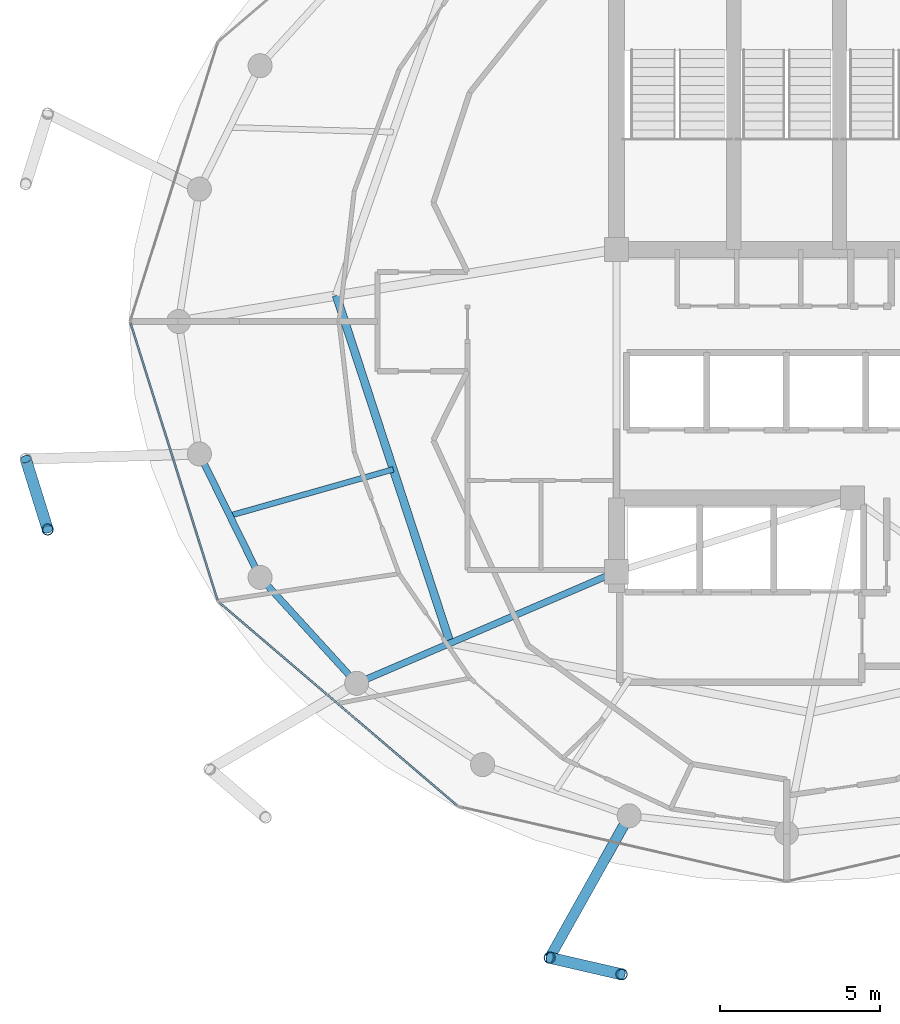
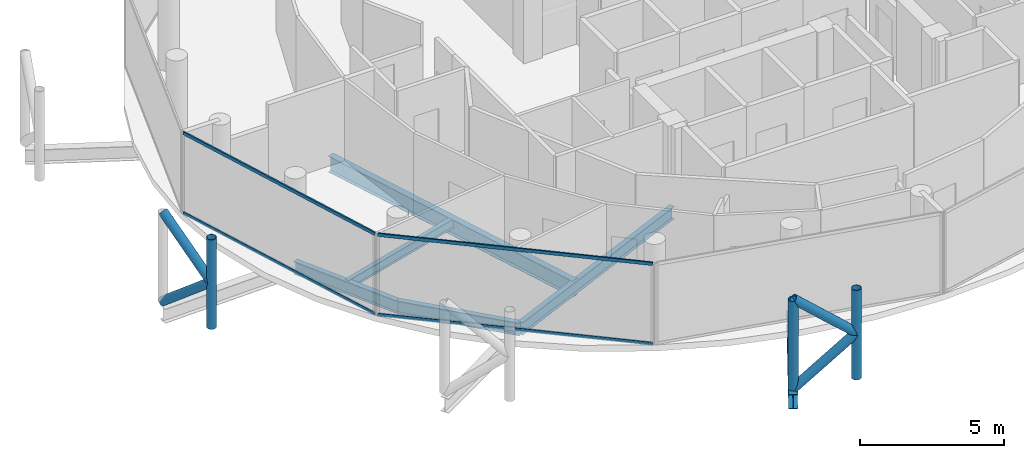
# One storey, part 3 of 24: 11 members, 6 beams, 2 elements without a shape of their own.
"""IFC4 building model written with IfcOpenShell, lengths in metres."""

from ifc_helpers import new_model, si_unit, direction, frame, origin, origin_2d, place, context, subcontext, project, spatial, hollow_rectangle, hollow_circle, i_section, extrude, material, layer, layer_set, material_profile, profile_set, type_object, element, aggregate, save


model = new_model("IFC4")

# Units and contexts
model_context = context("Model", 3, precision=1e-05, world=origin(), true_north=direction((0.0, 1.0)))
body_context = subcontext(model_context, "Body", "Model", "MODEL_VIEW")
ifc_project = project(units=[si_unit("LENGTHUNIT", "METRE"), si_unit("AREAUNIT", "SQUARE_METRE"), si_unit("VOLUMEUNIT", "CUBIC_METRE"), si_unit("PLANEANGLEUNIT", "RADIAN"), si_unit("MASSUNIT", "GRAM", prefix="KILO")], contexts=[model_context])

# Site, building, storey
site_placement = place(None, origin())
site = spatial("IfcSite", under=ifc_project, at=site_placement, CompositionType="ELEMENT")
building_placement = place(site_placement, origin())
building = spatial("IfcBuilding", under=site, at=building_placement, Name="Nuhasar Tower", CompositionType="ELEMENT")
storey_placement = place(building_placement, frame((0.0, 0.0, 297.39990234375)))
storey = spatial("IfcBuildingStorey", under=building, at=storey_placement, Name="L74", CompositionType="ELEMENT", Elevation=297.39990234375)

# Beams
ifc_material_1 = material(Name="Steel S355", Category="steel")
ifc_material_profile_1 = material_profile(ifc_material_1, i_section(OverallWidth=0.25390625, OverallDepth=0.68408203125, WebThickness=0.012451171875, FlangeThickness=0.018798828125, at=origin_2d()), Name="W27X94")
ifc_profile_set_1 = profile_set([ifc_material_profile_1], Name="Steel S355")
beam_type_1 = type_object("IfcBeamType", Name="BM-INRING-W27X94", PredefinedType="BEAM", material=ifc_profile_set_1)
beam_1_placement = place(storey_placement, frame((24.964111328125, 27.610107421875, -0.601806640625), z_axis=(0.311483801376, -0.950251462235, 0.0), x_axis=(0.950251462235, 0.311483801376, 0.0)))
element("IfcBeam", 1, at=beam_1_placement, inside=storey, type_object=beam_type_1, Name="L74 Inner Header Beam 08", PredefinedType="BEAM", context=body_context, shape_type="SweptSolid", body=[
    extrude(i_section(OverallWidth=0.25390625, OverallDepth=0.68408203125, WebThickness=0.012451171875, FlangeThickness=0.018798828125, at=origin_2d()), origin(), (0.0, 0.0, 1.0), 11.403564453125),
])
ifc_material_profile_2 = material_profile(ifc_material_1, i_section(OverallWidth=0.177978515625, OverallDepth=0.406005859375, WebThickness=0.0078125, FlangeThickness=0.0126953125, at=origin_2d()), Name="W16X40")
ifc_profile_set_2 = profile_set([ifc_material_profile_2], Name="Steel S355")
beam_type_2 = type_object("IfcBeamType", Name="BM-JST-W16X40", PredefinedType="JOIST", material=ifc_profile_set_2)
beam_2_placement = place(storey_placement, frame((26.739990234375, 22.19189453125, -0.462890625), z_axis=(-0.962154316042, -0.272505178156, 0.0), x_axis=(0.272505178156, -0.962154316042, 0.0)))
element("IfcBeam", 2, at=beam_2_placement, inside=storey, type_object=beam_type_2, Name="L74 Secondary Floor Joist 08", PredefinedType="JOIST", context=body_context, shape_type="SweptSolid", body=[
    extrude(i_section(OverallWidth=0.177978515625, OverallDepth=0.406005859375, WebThickness=0.0078125, FlangeThickness=0.0126953125, at=origin_2d()), origin(), (0.0, 0.0, 1.0), 5.29833984375),
])
ifc_material_profile_3 = material_profile(ifc_material_1, i_section(OverallWidth=0.208984375, OverallDepth=0.528076171875, WebThickness=0.009521484375, FlangeThickness=0.01318359375, at=origin_2d()), Name="W21X55")
ifc_profile_set_3 = profile_set([ifc_material_profile_3], Name="Steel S355")
beam_type_3 = type_object("IfcBeamType", Name="BM-RAD-W21X55", PredefinedType="BEAM", material=ifc_profile_set_3)
beam_3_placement = place(storey_placement, frame((33.699951171875, 19.0, -0.52392578125), z_axis=(-0.91887119061, -0.394557644797, 0.0), x_axis=(0.394557644797, -0.91887119061, 0.0)))
element("IfcBeam", 3, at=beam_3_placement, inside=storey, type_object=beam_type_3, Name="L74 Radial Floor Girder 01", PredefinedType="BEAM", context=body_context, shape_type="SweptSolid", body=[
    extrude(i_section(OverallWidth=0.208984375, OverallDepth=0.528076171875, WebThickness=0.009521484375, FlangeThickness=0.01318359375, at=origin_2d()), origin(), (0.0, 0.0, 1.0), 8.81494140625),
])
ifc_material_profile_4 = material_profile(ifc_material_1, i_section(OverallWidth=0.2099609375, OverallDepth=0.537109375, WebThickness=0.010986328125, FlangeThickness=0.017333984375, at=origin_2d()), Name="W21X68")
ifc_profile_set_4 = profile_set([ifc_material_profile_4], Name="Steel S355")
beam_type_4 = type_object("IfcBeamType", Name="BM-RING-W21X68", PredefinedType="SPANDREL", material=ifc_profile_set_4)
beam_4_placement = place(storey_placement, frame((20.696044921875, 22.672119140625, -0.52880859375), z_axis=(0.441510561726, -0.897256052576, 0.0), x_axis=(0.897256052576, 0.441510561726, 0.0)))
element("IfcBeam", 4, at=beam_4_placement, inside=storey, type_object=beam_type_4, Name="L74 Perimeter Ring Spandrel 14", PredefinedType="SPANDREL", context=body_context, shape_type="SweptSolid", body=[
    extrude(i_section(OverallWidth=0.2099609375, OverallDepth=0.537109375, WebThickness=0.010986328125, FlangeThickness=0.017333984375, at=origin_2d()), origin(), (0.0, 0.0, 1.0), 4.28759765625),
])
beam_5_placement = place(storey_placement, frame((22.589111328125, 18.824951171875, -0.52880859375), z_axis=(0.673686302939, -0.739017432293, 0.0), x_axis=(0.739017432293, 0.673686302939, 0.0)))
element("IfcBeam", 5, at=beam_5_placement, inside=storey, type_object=beam_type_4, Name="L74 Perimeter Ring Spandrel 15", PredefinedType="SPANDREL", context=body_context, shape_type="SweptSolid", body=[
    extrude(i_section(OverallWidth=0.2099609375, OverallDepth=0.537109375, WebThickness=0.010986328125, FlangeThickness=0.017333984375, at=origin_2d()), origin(), (0.0, 0.0, 1.0), 4.469482421875),
])
ifc_material_profile_5 = material_profile(ifc_material_1, i_section(OverallWidth=0.323974609375, OverallDepth=0.611083984375, WebThickness=0.0126953125, FlangeThickness=0.01904296875, at=origin_2d()), Name="W24X104")
ifc_profile_set_5 = profile_set([ifc_material_profile_5], Name="Steel S355")
beam_type_5 = type_object("IfcBeamType", Name="BM-TIE-W24X104", PredefinedType="BEAM", material=ifc_profile_set_5)
beam_6_placement = place(storey_placement, frame((34.094970703125, 11.39306640625, -0.56591796875), z_axis=(-0.488667847762, -0.872469904675, 0.0), x_axis=(0.872469904675, -0.488667847762, 0.0)))
element("IfcBeam", 6, at=beam_6_placement, inside=storey, type_object=beam_type_5, Name="L74 Exoskeleton Node Tie Beam 09", PredefinedType="BEAM", context=body_context, shape_type="SweptSolid", body=[
    extrude(i_section(OverallWidth=0.323974609375, OverallDepth=0.611083984375, WebThickness=0.0126953125, FlangeThickness=0.01904296875, at=origin_2d()), origin(), (0.0, 0.0, 1.0), 5.072998046875),
])

# Curtain wall, members
ifc_material_2 = material(Name="Aluminium 6063-T6", Category="aluminium")
ifc_layer = layer(ifc_material_2, 0.18994140625)
ifc_layer_set = layer_set([ifc_layer], Name="Aluminium 6063-T6")
curtain_wall_type = type_object("IfcCurtainWallType", Name="CW-Z4-PEN", PredefinedType="NOTDEFINED", material=ifc_layer_set)
curtain_wall_1_placement = place(storey_placement, origin())
curtain_wall_1 = element("IfcCurtainWall", 7, at=curtain_wall_1_placement, inside=storey, type_object=curtain_wall_type, Name="L74 Unitised Curtain Wall 07", PredefinedType="NOTDEFINED")
ifc_material_profile_6 = material_profile(ifc_material_2, hollow_rectangle(XDim=0.06005859375, YDim=0.135009765625, WallThickness=0.00439453125, at=origin_2d()), Name="CWT-5")
ifc_profile_set_6 = profile_set([ifc_material_profile_6], Name="Aluminium 6063-T6")
member_type_1 = type_object("IfcMemberType", Name="CW-TRN-S5", PredefinedType="USERDEFINED", material=ifc_profile_set_6)
member_1_placement = place(storey_placement, frame((18.557861328125, 26.74267578125, 0.030029296875), z_axis=(0.29956014073, -0.954077419335, 0.0), x_axis=(0.954077419335, 0.29956014073, 0.0)))
member_1 = element("IfcMember", 8, at=member_1_placement, type_object=member_type_1, Name="CW-Z4 transom 1.1", ObjectType="TRANSOM", PredefinedType="USERDEFINED", context=body_context, shape_type="SweptSolid", body=[
    extrude(hollow_rectangle(XDim=0.06005859375, YDim=0.135009765625, WallThickness=0.00439453125, at=origin_2d()), origin(), (0.0, 0.0, 1.0), 9.0302734375),
])
member_2_placement = place(storey_placement, frame((18.557861328125, 26.74267578125, 3.420166015625), z_axis=(0.29956014073, -0.954077419335, 0.0), x_axis=(0.954077419335, 0.29956014073, 0.0)))
member_2 = element("IfcMember", 9, at=member_2_placement, type_object=member_type_1, Name="CW-Z4 transom 1.2", ObjectType="TRANSOM", PredefinedType="USERDEFINED", context=body_context, shape_type="SweptSolid", body=[
    extrude(hollow_rectangle(XDim=0.06005859375, YDim=0.135009765625, WallThickness=0.00439453125, at=origin_2d()), origin(), (0.0, 0.0, 1.0), 9.0302734375),
])
aggregate(curtain_wall_1, [member_1, member_2])

curtain_wall_2_placement = place(storey_placement, origin())
curtain_wall_2 = element("IfcCurtainWall", 10, at=curtain_wall_2_placement, inside=storey, type_object=curtain_wall_type, Name="L74 Unitised Curtain Wall 08", PredefinedType="NOTDEFINED")
member_3_placement = place(storey_placement, frame((21.32666015625, 18.031005859375, 0.030029296875), z_axis=(0.760672431431, -0.649135927261, 0.0), x_axis=(0.649135927261, 0.760672431431, 0.0)))
member_3 = element("IfcMember", 11, at=member_3_placement, type_object=member_type_1, Name="CW-Z4 transom 1.1", ObjectType="TRANSOM", PredefinedType="USERDEFINED", context=body_context, shape_type="SweptSolid", body=[
    extrude(hollow_rectangle(XDim=0.06005859375, YDim=0.135009765625, WallThickness=0.00439453125, at=origin_2d()), origin(), (0.0, 0.0, 1.0), 9.72509765625),
])
member_4_placement = place(storey_placement, frame((21.32666015625, 18.031005859375, 3.420166015625), z_axis=(0.760672431431, -0.649135927261, 0.0), x_axis=(0.649135927261, 0.760672431431, 0.0)))
member_4 = element("IfcMember", 12, at=member_4_placement, type_object=member_type_1, Name="CW-Z4 transom 1.2", ObjectType="TRANSOM", PredefinedType="USERDEFINED", context=body_context, shape_type="SweptSolid", body=[
    extrude(hollow_rectangle(XDim=0.06005859375, YDim=0.135009765625, WallThickness=0.00439453125, at=origin_2d()), origin(), (0.0, 0.0, 1.0), 9.72509765625),
])
aggregate(curtain_wall_2, [member_3, member_4])

# Members
ifc_material_3 = material(Name="Steel S460", Category="steel")
ifc_material_profile_7 = material_profile(ifc_material_3, hollow_circle(Radius=0.177734375, WallThickness=0.015869140625, at=origin_2d()), Name="HSS355.6X15.9")
ifc_profile_set_7 = profile_set([ifc_material_profile_7], Name="Steel S460")
member_type_2 = type_object("IfcMemberType", Name="EXO-BRONZE-356", PredefinedType="BRACE", material=ifc_profile_set_7)
for number, where, z_axis, x_axis, name in (
    (13, (15.967041015625, 20.319091796875, 0.0), (0.0, 0.0, 1.0), (1.0, 0.0, 0.0), "L74 Exoskeleton Chord Column EC-07B"),
    (14, (31.615966796875, 6.967041015625, 0.0), (0.0, 0.0, 1.0), (1.0, 0.0, 0.0), "L74 Exoskeleton Chord Column EC-09A"),
    (15, (33.85693359375, 6.450927734375, 0.0), (0.0, 0.0, 1.0), (1.0, 0.0, 0.0), "L74 Exoskeleton Chord Column EC-09B"),
):
    element("IfcMember", number, at=place(storey_placement, frame(where, z_axis=z_axis, x_axis=x_axis)), inside=storey, type_object=member_type_2, Name=name, PredefinedType="BRACE", context=body_context, shape_type="SweptSolid", body=[
        extrude(hollow_circle(Radius=0.177734375, WallThickness=0.015869140625, at=origin_2d()), origin(), (0.0, 0.0, 1.0), 3.800048828125),
    ])
member_5_placement = place(storey_placement, frame((15.281982421875, 22.513916015625, 0.0), z_axis=(0.229669386127, -0.73582600901, 0.637033796232), x_axis=(0.954581948223, 0.297948492404, 0.0)))
element("IfcMember", 16, at=member_5_placement, inside=storey, type_object=member_type_2, Name="L74 Bronze Diagrid Brace W1-07", PredefinedType="BRACE", context=body_context, shape_type="SweptSolid", body=[
    extrude(hollow_circle(Radius=0.177734375, WallThickness=0.015869140625, at=origin_2d()), origin(), (0.0, 0.0, 1.0), 2.98291015625),
])
member_6_placement = place(storey_placement, frame((15.967041015625, 20.319091796875, 1.900146484375), z_axis=(-0.229681361446, 0.735864376122, 0.636985158507), x_axis=(-0.954581948223, -0.297948492404, 0.0)))
element("IfcMember", 17, at=member_6_placement, inside=storey, type_object=member_type_2, Name="L74 Bronze Diagrid Brace W2-07", PredefinedType="BRACE", context=body_context, shape_type="SweptSolid", body=[
    extrude(hollow_circle(Radius=0.177734375, WallThickness=0.015869140625, at=origin_2d()), origin(), (0.0, 0.0, 1.0), 2.982666015625),
])
member_7_placement = place(storey_placement, frame((31.615966796875, 6.967041015625, 0.0), z_axis=(0.751221815951, -0.173012628709, 0.636971281571), x_axis=(0.224433035437, 0.97448951385, 0.0)))
element("IfcMember", 18, at=member_7_placement, inside=storey, type_object=member_type_2, Name="L74 Bronze Diagrid Brace W1-09", PredefinedType="BRACE", context=body_context, shape_type="SweptSolid", body=[
    extrude(hollow_circle(Radius=0.177734375, WallThickness=0.015869140625, at=origin_2d()), origin(), (0.0, 0.0, 1.0), 2.983154296875),
])
member_8_placement = place(storey_placement, frame((33.85693359375, 6.450927734375, 1.900146484375), z_axis=(-0.751260978137, 0.173021648086, 0.636922642103), x_axis=(-0.224433035437, -0.97448951385, 0.0)))
element("IfcMember", 19, at=member_8_placement, inside=storey, type_object=member_type_2, Name="L74 Bronze Diagrid Brace W2-09", PredefinedType="BRACE", context=body_context, shape_type="SweptSolid", body=[
    extrude(hollow_circle(Radius=0.177734375, WallThickness=0.015869140625, at=origin_2d()), origin(), (0.0, 0.0, 1.0), 2.98291015625),
])

save(model, "model.ifc")
